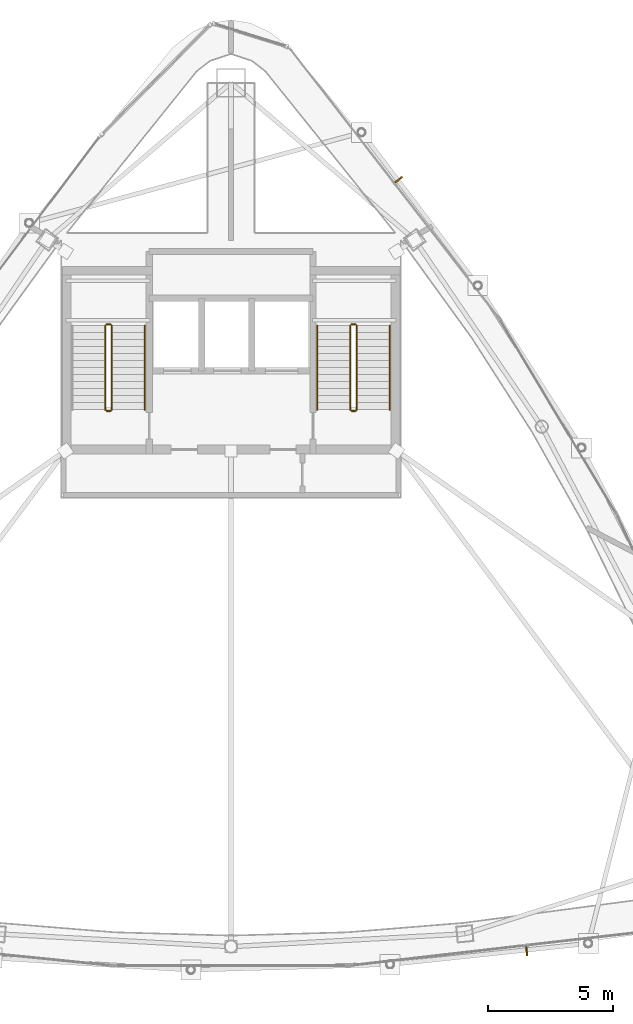
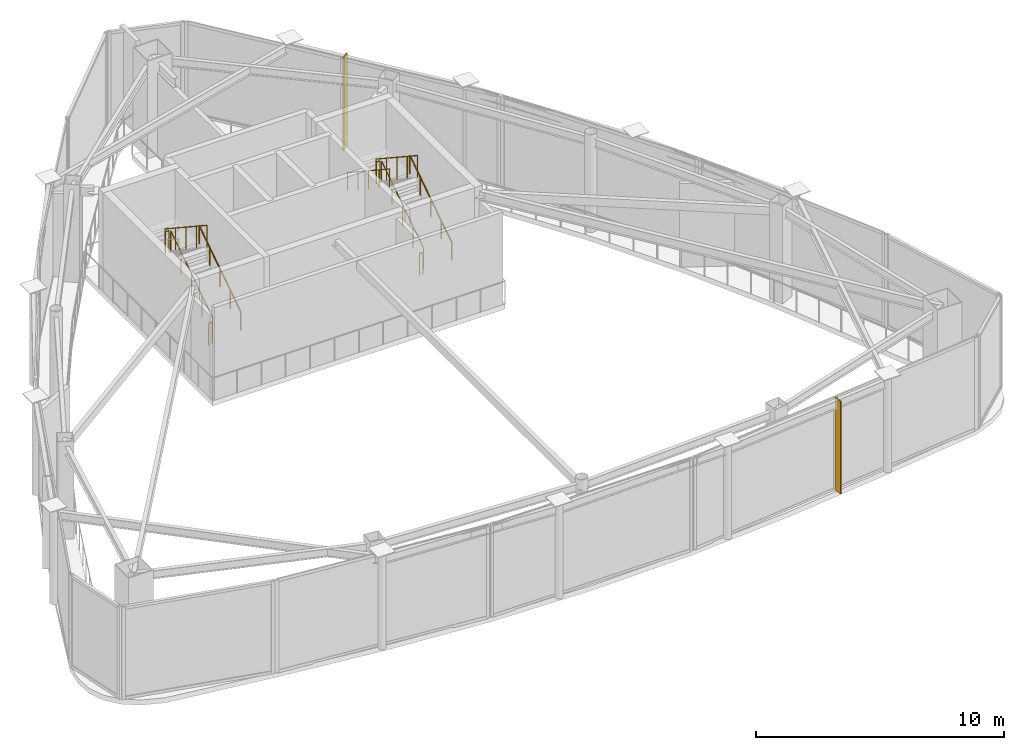
# One storey, part 19 of 20: 11 railings, 2 shading devices.
"""IFC4 building model written with IfcOpenShell, lengths in metres."""

from ifc_helpers import new_model, si_unit, direction, frame, origin, origin_2d, place, context, subcontext, project, spatial, rectangle, circle, extrude, material, layer, layer_set, type_object, element, save


model = new_model("IFC4")

# Units and contexts
model_context = context("Model", 3, precision=1e-05, world=origin(), true_north=direction((0.0, 1.0)))
body_context = subcontext(model_context, "Body", "Model", "MODEL_VIEW")
ifc_project = project(units=[si_unit("LENGTHUNIT", "METRE"), si_unit("AREAUNIT", "SQUARE_METRE"), si_unit("VOLUMEUNIT", "CUBIC_METRE"), si_unit("PLANEANGLEUNIT", "RADIAN"), si_unit("MASSUNIT", "GRAM", prefix="KILO")], contexts=[model_context])

# Site, building, storey
site_placement = place(None, origin())
site = spatial("IfcSite", under=ifc_project, at=site_placement, CompositionType="ELEMENT")
building_placement = place(site_placement, origin())
building = spatial("IfcBuilding", under=site, at=building_placement, Name="Orvanel Arch Residences", CompositionType="ELEMENT")
storey_placement = place(building_placement, frame((0.0, 0.0, 300.5)))
storey = spatial("IfcBuildingStorey", under=building, at=storey_placement, Name="L84", CompositionType="ELEMENT", Elevation=300.5)

# Shading devices
ifc_material_1 = material(Name="Bronze-anodised aluminium AA6063-T6", Category="aluminium")
ifc_layer = layer(ifc_material_1, 0.06005859375)
ifc_layer_set = layer_set([ifc_layer], Name="Bronze-anodised aluminium AA6063-T6")
shading_device_type = type_object("IfcShadingDeviceType", Name="FIN-BRZ-380", PredefinedType="USERDEFINED", material=ifc_layer_set)
for number, where, z_axis, x_axis, name in (
    (1, (44.826904296875, 6.674072265625, 0.0), (0.0, 0.0, 1.0), (0.114937150493, -0.9933727656, 0.0), "L84 Anodised Bronze Mullion FIN 01"),
    (2, (39.702880859375, 37.51904296875, 0.0), (0.0, 0.0, 1.0), (0.790155012376, 0.612907053653, 0.0), "L84 Anodised Bronze Mullion FIN 01"),
):
    element("IfcShadingDevice", number, at=place(storey_placement, frame(where, z_axis=z_axis, x_axis=x_axis)), inside=storey, type_object=shading_device_type, Name=name, ObjectType="FIN", PredefinedType="USERDEFINED", context=body_context, shape_type="SweptSolid", body=[
        extrude(rectangle(XDim=0.3798828125, YDim=0.06005859375, at=origin_2d()), origin(), (0.0, 0.0, 1.0), 4.550048828125),
    ])

# Railings
ifc_material_2 = material(Name="Structural steel AS/NZS 1163 C350L0 (Grade 350)", Category="steel")
railing_type_1 = type_object("IfcRailingType", Name="RL-STAIR-GUARD", PredefinedType="GUARDRAIL", material=ifc_material_2)
railing_1_placement = place(storey_placement, frame((28.22998046875, 28.320068359375, 0.1845703125)))
element("IfcRailing", 3, at=railing_1_placement, inside=storey, type_object=railing_type_1, Name="L84 ST-1 stair guard 1", PredefinedType="GUARDRAIL", context=body_context, shape_type="SweptSolid", body=[
    extrude(circle(Radius=0.02392578125, at=origin_2d()), frame((0.0, 0.001220703125, 1.076904296875), z_axis=(0.0, 0.834858096282, 0.550465220583), x_axis=(-1.0, 0.0, 0.0)), (0.0, 0.0, 1.0), 4.021484375),
    extrude(circle(Radius=0.02099609375, at=origin_2d()), origin(), (0.0, 0.0, 1.0), 1.050048828125),
    extrude(circle(Radius=0.02099609375, at=origin_2d()), frame((0.0, 0.83984375, 0.5537109375)), (0.0, 0.0, 1.0), 1.050048828125),
    extrude(circle(Radius=0.02099609375, at=origin_2d()), frame((0.0, 1.679931640625, 1.107666015625)), (0.0, 0.0, 1.0), 1.050048828125),
    extrude(circle(Radius=0.02099609375, at=origin_2d()), frame((0.0, 2.52001953125, 1.66162109375)), (0.0, 0.0, 1.0), 1.050048828125),
    extrude(circle(Radius=0.02099609375, at=origin_2d()), frame((0.0, 3.35986328125, 2.21533203125)), (0.0, 0.0, 1.0), 1.050048828125),
])
railing_2_placement = place(storey_placement, frame((28.179931640625, 31.72998046875, 2.39990234375)))
element("IfcRailing", 4, at=railing_2_placement, inside=storey, type_object=railing_type_1, Name="L84 ST-1 stair guard 2", PredefinedType="GUARDRAIL", context=body_context, shape_type="SweptSolid", body=[
    extrude(circle(Radius=0.02392578125, at=origin_2d()), frame((-0.00146484375, 0.0, 1.076171875), z_axis=(-1.0, 0.0, 0.0), x_axis=(0.0, -1.0, 0.0)), (0.0, 0.0, 1.0), 0.156982421875),
    extrude(circle(Radius=0.02099609375, at=origin_2d()), origin(), (0.0, 0.0, 1.0), 1.050048828125),
    extrude(circle(Radius=0.02099609375, at=origin_2d()), frame((-0.159912109375, 0.0, 0.0)), (0.0, 0.0, 1.0), 1.050048828125),
])
railing_3_placement = place(storey_placement, frame((27.969970703125, 31.679931640625, 2.584716796875)))
element("IfcRailing", 5, at=railing_3_placement, inside=storey, type_object=railing_type_1, Name="L84 ST-1 stair guard 3", PredefinedType="GUARDRAIL", context=body_context, shape_type="SweptSolid", body=[
    extrude(circle(Radius=0.02392578125, at=origin_2d()), frame((0.0, -0.001220703125, 1.076904296875), z_axis=(0.0, -0.834858096282, 0.550465220583), x_axis=(1.0, 0.0, 0.0)), (0.0, 0.0, 1.0), 4.021484375),
    extrude(circle(Radius=0.02099609375, at=origin_2d()), origin(), (0.0, 0.0, 1.0), 1.050048828125),
    extrude(circle(Radius=0.02099609375, at=origin_2d()), frame((0.0, -0.83984375, 0.5537109375)), (0.0, 0.0, 1.0), 1.050048828125),
    extrude(circle(Radius=0.02099609375, at=origin_2d()), frame((0.0, -1.679931640625, 1.107666015625)), (0.0, 0.0, 1.0), 1.050048828125),
    extrude(circle(Radius=0.02099609375, at=origin_2d()), frame((0.0, -2.52001953125, 1.66162109375)), (0.0, 0.0, 1.0), 1.050048828125),
    extrude(circle(Radius=0.02099609375, at=origin_2d()), frame((0.0, -3.35986328125, 2.21533203125)), (0.0, 0.0, 1.0), 1.050048828125),
])
railing_4_placement = place(storey_placement, frame((28.179931640625, 28.27001953125, 0.0)))
element("IfcRailing", 6, at=railing_4_placement, inside=storey, type_object=railing_type_1, Name="L84 ST-1 stair guard 4", PredefinedType="GUARDRAIL", context=body_context, shape_type="SweptSolid", body=[
    extrude(circle(Radius=0.02392578125, at=origin_2d()), frame((-0.00146484375, 0.0, 1.076171875), z_axis=(-1.0, 0.0, 0.0), x_axis=(0.0, -1.0, 0.0)), (0.0, 0.0, 1.0), 0.156982421875),
    extrude(circle(Radius=0.02099609375, at=origin_2d()), origin(), (0.0, 0.0, 1.0), 1.050048828125),
    extrude(circle(Radius=0.02099609375, at=origin_2d()), frame((-0.159912109375, 0.0, 0.0)), (0.0, 0.0, 1.0), 1.050048828125),
])
railing_5_placement = place(storey_placement, frame((38.030029296875, 28.320068359375, 0.1845703125)))
element("IfcRailing", 7, at=railing_5_placement, inside=storey, type_object=railing_type_1, Name="L84 ST-2 stair guard 1", PredefinedType="GUARDRAIL", context=body_context, shape_type="SweptSolid", body=[
    extrude(circle(Radius=0.02392578125, at=origin_2d()), frame((0.0, 0.001220703125, 1.076904296875), z_axis=(0.0, 0.834858096282, 0.550465220583), x_axis=(-1.0, 0.0, 0.0)), (0.0, 0.0, 1.0), 4.021484375),
    extrude(circle(Radius=0.02099609375, at=origin_2d()), origin(), (0.0, 0.0, 1.0), 1.050048828125),
    extrude(circle(Radius=0.02099609375, at=origin_2d()), frame((0.0, 0.83984375, 0.5537109375)), (0.0, 0.0, 1.0), 1.050048828125),
    extrude(circle(Radius=0.02099609375, at=origin_2d()), frame((0.0, 1.679931640625, 1.107666015625)), (0.0, 0.0, 1.0), 1.050048828125),
    extrude(circle(Radius=0.02099609375, at=origin_2d()), frame((0.0, 2.52001953125, 1.66162109375)), (0.0, 0.0, 1.0), 1.050048828125),
    extrude(circle(Radius=0.02099609375, at=origin_2d()), frame((0.0, 3.35986328125, 2.21533203125)), (0.0, 0.0, 1.0), 1.050048828125),
])
railing_6_placement = place(storey_placement, frame((37.97998046875, 31.72998046875, 2.39990234375)))
element("IfcRailing", 8, at=railing_6_placement, inside=storey, type_object=railing_type_1, Name="L84 ST-2 stair guard 2", PredefinedType="GUARDRAIL", context=body_context, shape_type="SweptSolid", body=[
    extrude(circle(Radius=0.02392578125, at=origin_2d()), frame((-0.00146484375, 0.0, 1.076171875), z_axis=(-1.0, 0.0, 0.0), x_axis=(0.0, -1.0, 0.0)), (0.0, 0.0, 1.0), 0.156982421875),
    extrude(circle(Radius=0.02099609375, at=origin_2d()), origin(), (0.0, 0.0, 1.0), 1.050048828125),
    extrude(circle(Radius=0.02099609375, at=origin_2d()), frame((-0.159912109375, 0.0, 0.0)), (0.0, 0.0, 1.0), 1.050048828125),
])
railing_7_placement = place(storey_placement, frame((37.77001953125, 31.679931640625, 2.584716796875)))
element("IfcRailing", 9, at=railing_7_placement, inside=storey, type_object=railing_type_1, Name="L84 ST-2 stair guard 3", PredefinedType="GUARDRAIL", context=body_context, shape_type="SweptSolid", body=[
    extrude(circle(Radius=0.02392578125, at=origin_2d()), frame((0.0, -0.001220703125, 1.076904296875), z_axis=(0.0, -0.834858096282, 0.550465220583), x_axis=(1.0, 0.0, 0.0)), (0.0, 0.0, 1.0), 4.021484375),
    extrude(circle(Radius=0.02099609375, at=origin_2d()), origin(), (0.0, 0.0, 1.0), 1.050048828125),
    extrude(circle(Radius=0.02099609375, at=origin_2d()), frame((0.0, -0.83984375, 0.5537109375)), (0.0, 0.0, 1.0), 1.050048828125),
    extrude(circle(Radius=0.02099609375, at=origin_2d()), frame((0.0, -1.679931640625, 1.107666015625)), (0.0, 0.0, 1.0), 1.050048828125),
    extrude(circle(Radius=0.02099609375, at=origin_2d()), frame((0.0, -2.52001953125, 1.66162109375)), (0.0, 0.0, 1.0), 1.050048828125),
    extrude(circle(Radius=0.02099609375, at=origin_2d()), frame((0.0, -3.35986328125, 2.21533203125)), (0.0, 0.0, 1.0), 1.050048828125),
])
railing_8_placement = place(storey_placement, frame((37.97998046875, 28.27001953125, 0.0)))
element("IfcRailing", 10, at=railing_8_placement, inside=storey, type_object=railing_type_1, Name="L84 ST-2 stair guard 4", PredefinedType="GUARDRAIL", context=body_context, shape_type="SweptSolid", body=[
    extrude(circle(Radius=0.02392578125, at=origin_2d()), frame((-0.00146484375, 0.0, 1.076171875), z_axis=(-1.0, 0.0, 0.0), x_axis=(0.0, -1.0, 0.0)), (0.0, 0.0, 1.0), 0.156982421875),
    extrude(circle(Radius=0.02099609375, at=origin_2d()), origin(), (0.0, 0.0, 1.0), 1.050048828125),
    extrude(circle(Radius=0.02099609375, at=origin_2d()), frame((-0.159912109375, 0.0, 0.0)), (0.0, 0.0, 1.0), 1.050048828125),
])
railing_type_2 = type_object("IfcRailingType", Name="RL-STAIR-HAND", PredefinedType="HANDRAIL", material=ifc_material_2)
for number, where, name in (
    (11, (29.550048828125, 28.320068359375, 0.1845703125), "L84 ST-1 stair handrail 1"),
    (12, (39.35009765625, 28.320068359375, 0.1845703125), "L84 ST-2 stair handrail 1"),
):
    element("IfcRailing", number, at=place(storey_placement, frame(where)), inside=storey, type_object=railing_type_2, Name=name, PredefinedType="HANDRAIL", context=body_context, shape_type="SweptSolid", body=[
        extrude(circle(Radius=0.02392578125, at=origin_2d()), frame((0.0, 0.001220703125, 0.876708984375), z_axis=(0.0, 0.834858096282, 0.550465220583), x_axis=(-1.0, 0.0, 0.0)), (0.0, 0.0, 1.0), 4.021484375),
        extrude(circle(Radius=0.02099609375, at=origin_2d()), origin(), (0.0, 0.0, 1.0), 0.849853515625),
        extrude(circle(Radius=0.02099609375, at=origin_2d()), frame((0.0, 0.83984375, 0.5537109375)), (0.0, 0.0, 1.0), 0.849853515625),
        extrude(circle(Radius=0.02099609375, at=origin_2d()), frame((0.0, 1.679931640625, 1.107666015625)), (0.0, 0.0, 1.0), 0.849853515625),
        extrude(circle(Radius=0.02099609375, at=origin_2d()), frame((0.0, 2.52001953125, 1.66162109375)), (0.0, 0.0, 1.0), 0.849853515625),
        extrude(circle(Radius=0.02099609375, at=origin_2d()), frame((0.0, 3.35986328125, 2.21533203125)), (0.0, 0.0, 1.0), 0.849853515625),
    ])
railing_9_placement = place(storey_placement, frame((36.449951171875, 31.679931640625, 2.584716796875)))
element("IfcRailing", 13, at=railing_9_placement, inside=storey, type_object=railing_type_2, Name="L84 ST-2 stair handrail 2", PredefinedType="HANDRAIL", context=body_context, shape_type="SweptSolid", body=[
    extrude(circle(Radius=0.02392578125, at=origin_2d()), frame((0.0, -0.001220703125, 0.876708984375), z_axis=(0.0, -0.834858096282, 0.550465220583), x_axis=(1.0, 0.0, 0.0)), (0.0, 0.0, 1.0), 4.021484375),
    extrude(circle(Radius=0.02099609375, at=origin_2d()), origin(), (0.0, 0.0, 1.0), 0.849853515625),
    extrude(circle(Radius=0.02099609375, at=origin_2d()), frame((0.0, -0.83984375, 0.5537109375)), (0.0, 0.0, 1.0), 0.849853515625),
    extrude(circle(Radius=0.02099609375, at=origin_2d()), frame((0.0, -1.679931640625, 1.107666015625)), (0.0, 0.0, 1.0), 0.849853515625),
    extrude(circle(Radius=0.02099609375, at=origin_2d()), frame((0.0, -2.52001953125, 1.66162109375)), (0.0, 0.0, 1.0), 0.849853515625),
    extrude(circle(Radius=0.02099609375, at=origin_2d()), frame((0.0, -3.35986328125, 2.21533203125)), (0.0, 0.0, 1.0), 0.849853515625),
])

save(model, "model.ifc")
